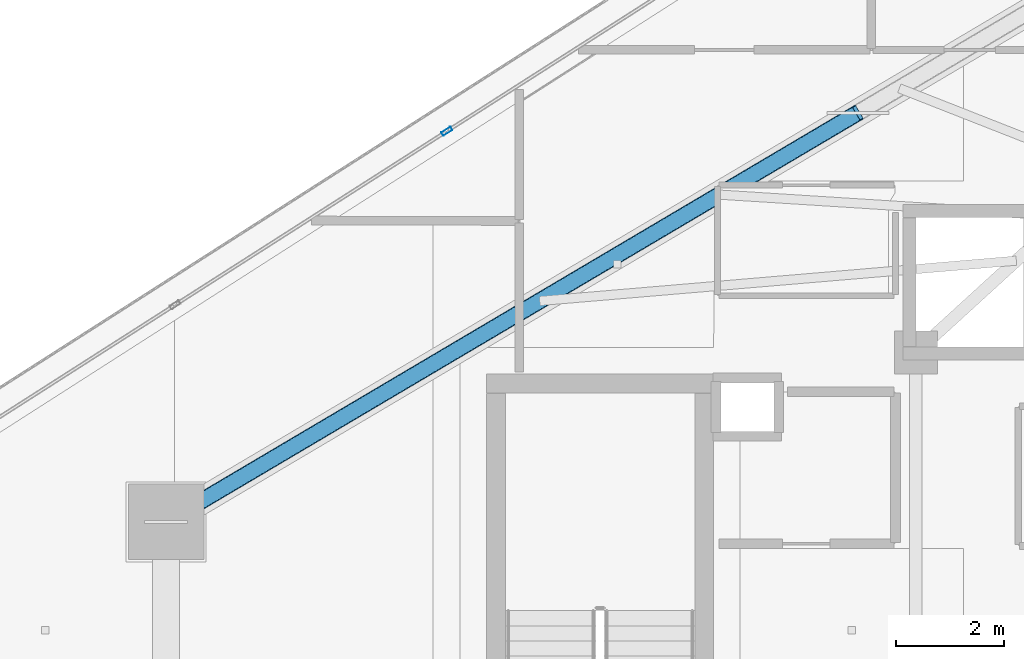
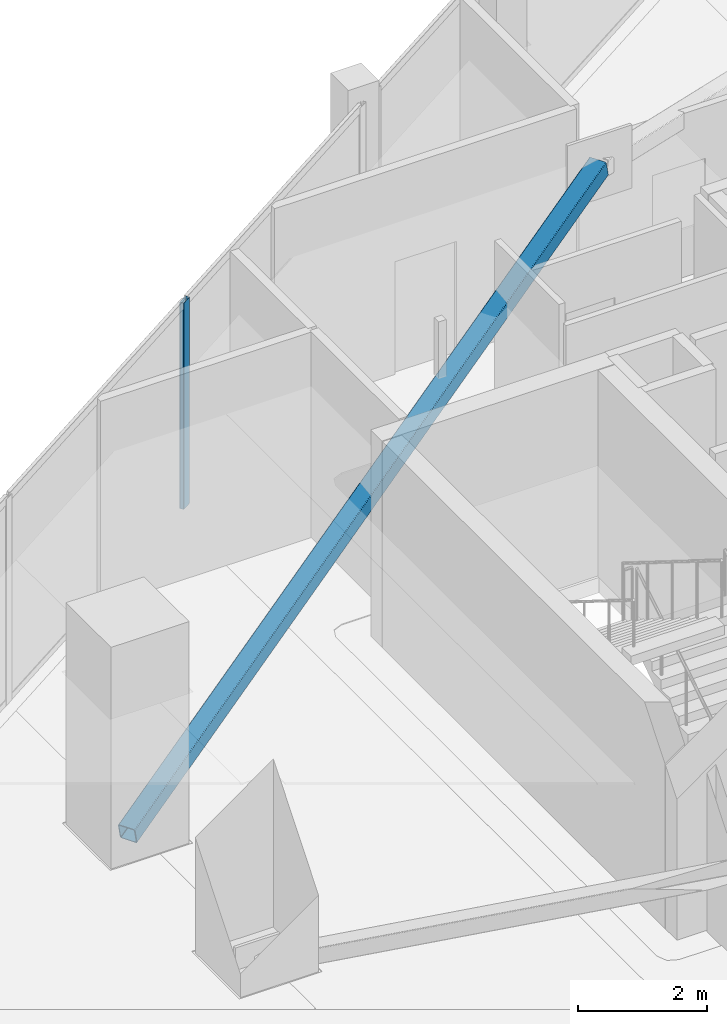
# One storey, part 8 of 30: 2 members, 1 element without a shape of its own.
"""IFC4 building model written with IfcOpenShell, lengths in metres."""

from ifc_helpers import new_model, si_unit, direction, frame, origin, origin_2d, place, context, subcontext, project, spatial, hollow_rectangle, extrude, material, layer, layer_set, material_profile, profile_set, type_object, element, aggregate, save


model = new_model("IFC4")

# Units and contexts
model_context = context("Model", 3, precision=1e-05, world=origin(), true_north=direction((0.0, 1.0)))
body_context = subcontext(model_context, "Body", "Model", "MODEL_VIEW")
ifc_project = project(units=[si_unit("LENGTHUNIT", "METRE"), si_unit("AREAUNIT", "SQUARE_METRE"), si_unit("VOLUMEUNIT", "CUBIC_METRE"), si_unit("PLANEANGLEUNIT", "RADIAN"), si_unit("MASSUNIT", "GRAM", prefix="KILO")], contexts=[model_context])

# Site, building, storey
site_placement = place(None, origin())
site = spatial("IfcSite", under=ifc_project, at=site_placement, CompositionType="ELEMENT")
building_placement = place(site_placement, origin())
building = spatial("IfcBuilding", under=site, at=building_placement, Name="Qorvath Tower", CompositionType="ELEMENT")
storey_placement = place(building_placement, frame((0.0, 0.0, 301.800048828125)))
storey = spatial("IfcBuildingStorey", under=building, at=storey_placement, Name="L70", CompositionType="ELEMENT", Elevation=301.800048828125)

# Curtain wall, member
ifc_material_1 = material(Name="Anodised aluminium and triple low-E glass", Category="aluminium")
ifc_layer = layer(ifc_material_1, 0.179931640625)
ifc_layer_set = layer_set([ifc_layer], Name="CW-SYS-4")
curtain_wall_type = type_object("IfcCurtainWallType", Name="CW-SYS-4", PredefinedType="NOTDEFINED", material=ifc_layer_set)
curtain_wall_placement = place(storey_placement, origin())
curtain_wall = element("IfcCurtainWall", 1, at=curtain_wall_placement, inside=storey, type_object=curtain_wall_type, Name="Curtain Wall CW-4 CW-T-L70-16.3", PredefinedType="NOTDEFINED")
ifc_material_2 = material(Name="Anodised aluminium 6063-T6", Category="aluminium")
ifc_material_profile_1 = material_profile(ifc_material_2, hollow_rectangle(XDim=0.074951171875, YDim=0.199951171875, WallThickness=0.00390625, InnerFilletRadius=0.00390625, OuterFilletRadius=0.008056640625, at=origin_2d()), Name="CWM 200x75")
ifc_profile_set_1 = profile_set([ifc_material_profile_1], Name="Anodised aluminium 6063-T6")
member_type_1 = type_object("IfcMemberType", Name="CWM-200", PredefinedType="MULLION", material=ifc_profile_set_1)
member_1_placement = place(storey_placement, frame((-39.197021484375, 9.25146484375, 0.0), z_axis=(0.0, 0.0, 1.0), x_axis=(0.538527126724, -0.842608173342, 0.0)))
member_1 = element("IfcMember", 2, at=member_1_placement, type_object=member_type_1, Name="CW-4 mullion 2", PredefinedType="MULLION", context=body_context, shape_type="SweptSolid", body=[
    extrude(hollow_rectangle(XDim=0.074951171875, YDim=0.199951171875, WallThickness=0.00390625, InnerFilletRadius=0.00390625, OuterFilletRadius=0.008056640625, at=origin_2d()), origin(), (0.0, 0.0, 1.0), 3.909912109375),
])
aggregate(curtain_wall, [member_1])

# Member
ifc_material_3 = material(Name="Steel ASTM A500 Grade C", Category="steel")
ifc_material_profile_2 = material_profile(ifc_material_3, hollow_rectangle(XDim=0.3046875, YDim=0.3046875, WallThickness=0.0126953125, InnerFilletRadius=0.0126953125, OuterFilletRadius=0.025390625, at=origin_2d()), Name="HSS 305x305x12.7")
ifc_profile_set_2 = profile_set([ifc_material_profile_2], Name="Steel ASTM A500 Grade C")
member_type_2 = type_object("IfcMemberType", Name="MEM-MB3", PredefinedType="BRACE", material=ifc_profile_set_2)
member_2_placement = place(storey_placement, frame((-44.402587890625, 2.007568359375, 0.0), z_axis=(0.837214286782, 0.495045676303, 0.232383339295), x_axis=(-0.508979354273, 0.860778727039, 0.0)))
element("IfcMember", 3, at=member_2_placement, inside=storey, type_object=member_type_2, Name="Perimeter Chevron Brace L70-1B", PredefinedType="BRACE", context=body_context, shape_type="SweptSolid", body=[
    extrude(hollow_rectangle(XDim=0.3046875, YDim=0.3046875, WallThickness=0.0126953125, InnerFilletRadius=0.0126953125, OuterFilletRadius=0.025390625, at=origin_2d()), origin(), (0.0, 0.0, 1.0), 15.31982421875),
])

save(model, "model.ifc")
